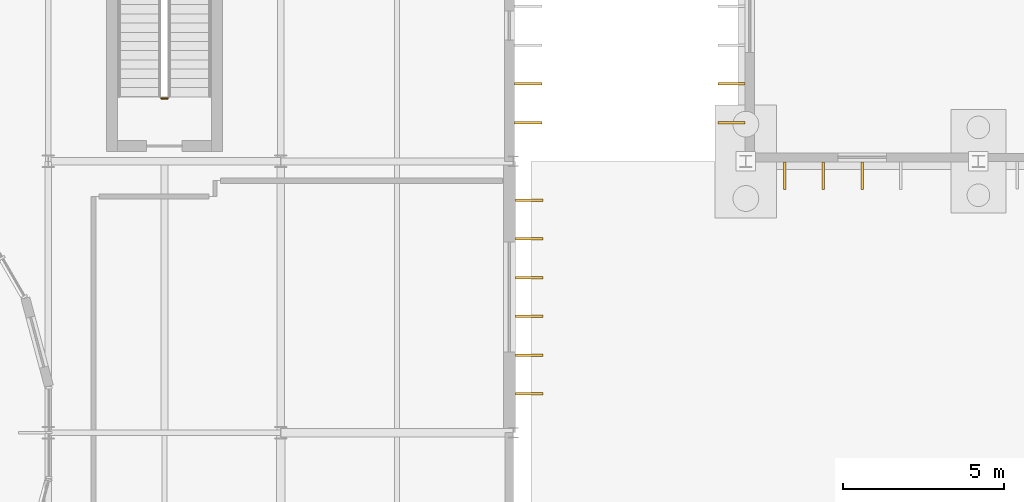
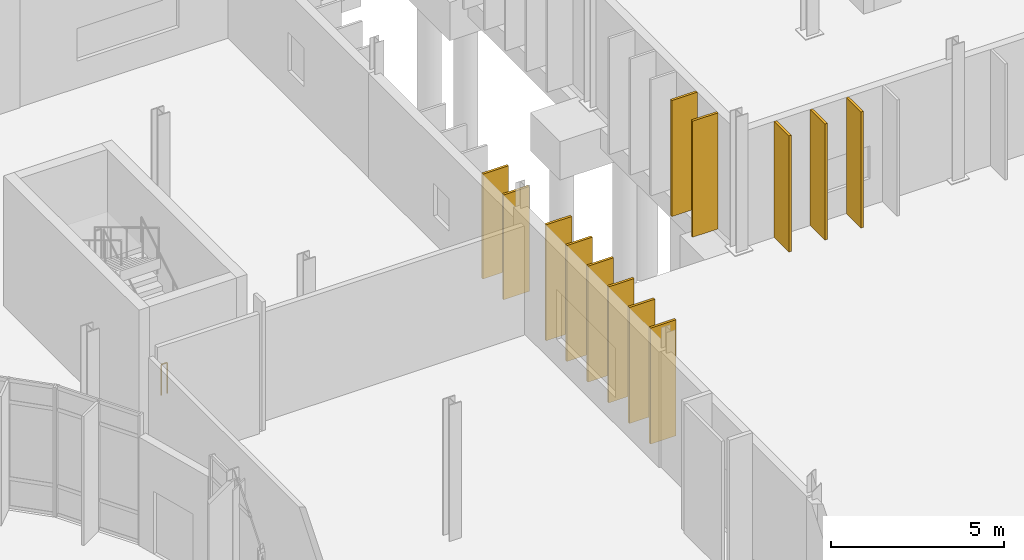
# One storey, part 109 of 118: 13 shading devices, 1 railing.
"""IFC4 building model written with IfcOpenShell, lengths in metres."""

from ifc_helpers import new_model, si_unit, direction, frame, origin, origin_2d, place, context, subcontext, project, spatial, rectangle, circle, extrude, material, type_object, element, save


model = new_model("IFC4")

# Units and contexts
model_context = context("Model", 3, precision=1e-05, world=origin(), true_north=direction((0.0, 1.0)))
body_context = subcontext(model_context, "Body", "Model", "MODEL_VIEW")
ifc_project = project(units=[si_unit("LENGTHUNIT", "METRE"), si_unit("AREAUNIT", "SQUARE_METRE"), si_unit("VOLUMEUNIT", "CUBIC_METRE"), si_unit("PLANEANGLEUNIT", "RADIAN"), si_unit("MASSUNIT", "GRAM", prefix="KILO")], contexts=[model_context])

# Site, building, storey
site_placement = place(None, origin())
site = spatial("IfcSite", under=ifc_project, at=site_placement, CompositionType="ELEMENT")
building_placement = place(site_placement, origin())
building = spatial("IfcBuilding", under=site, at=building_placement, Name="Qelthora Terrace Specialist Clinic", CompositionType="ELEMENT")
storey_placement = place(building_placement, origin())
storey = spatial("IfcBuildingStorey", under=building, at=storey_placement, Name="L00", CompositionType="ELEMENT", Elevation=0.0)

# Railing
ifc_material_1 = material(Name="Steel S355", Category="steel")
railing_type = type_object("IfcRailingType", Name="RAL-GD-1100-S355", PredefinedType="GUARDRAIL", material=ifc_material_1)
railing_placement = place(storey_placement, frame((39.699951171875, 94.35009765625, 0.0)))
element("IfcRailing", 1, at=railing_placement, inside=storey, type_object=railing_type, Name="L00 ST-02 stair guard 4", PredefinedType="GUARDRAIL", context=body_context, shape_type="SweptSolid", body=[
    extrude(circle(Radius=0.02392578125, at=origin_2d()), frame((0.0, 0.0, 1.076171875), z_axis=(-1.0, 0.0, 0.0), x_axis=(0.0, -1.0, 0.0)), (0.0, 0.0, 1.0), 0.199951171875),
    extrude(circle(Radius=0.02099609375, at=origin_2d()), origin(), (0.0, 0.0, 1.0), 1.052001953125),
    extrude(circle(Radius=0.02099609375, at=origin_2d()), frame((-0.199951171875, 0.0, 0.0)), (0.0, 0.0, 1.0), 1.052001953125),
])

# Shading devices
ifc_material_2 = material(Name="Glulam timber GL28h", Category="wood")
shading_device_type = type_object("IfcShadingDeviceType", Name="SHD-FIN-850", PredefinedType="USERDEFINED", material=ifc_material_2)
for number, where, z_axis, x_axis, name in (
    (2, (58.800048828125, 91.955078125, 0.0), (0.0, 0.0, 1.0), (0.0, -1.0, 0.0), "Exterior solar shading fin FIN-0237"),
    (3, (60.0, 91.955078125, 0.0), (0.0, 0.0, 1.0), (0.0, -1.0, 0.0), "Exterior solar shading fin FIN-0238"),
    (4, (61.199951171875, 91.955078125, 0.0), (0.0, 0.0, 1.0), (0.0, -1.0, 0.0), "Exterior solar shading fin FIN-0239"),
    (5, (57.155029296875, 93.60009765625, 0.0), (0.0, 0.0, 1.0), (-1.0, 0.0, 0.0), "Exterior solar shading fin FIN-0260"),
    (6, (57.155029296875, 94.800048828125, 0.0), (0.0, 0.0, 1.0), (-1.0, 0.0, 0.0), "Exterior solar shading fin FIN-0261"),
    (7, (50.89501953125, 85.199951171875, 0.0), (0.0, 0.0, 1.0), (1.0, 0.0, 0.0), "Exterior solar shading fin FIN-0475"),
    (8, (50.89501953125, 86.39990234375, 0.0), (0.0, 0.0, 1.0), (1.0, 0.0, 0.0), "Exterior solar shading fin FIN-0476"),
    (9, (50.89501953125, 87.60009765625, 0.0), (0.0, 0.0, 1.0), (1.0, 0.0, 0.0), "Exterior solar shading fin FIN-0477"),
    (10, (50.89501953125, 88.800048828125, 0.0), (0.0, 0.0, 1.0), (1.0, 0.0, 0.0), "Exterior solar shading fin FIN-0478"),
    (11, (50.89501953125, 90.0, 0.0), (0.0, 0.0, 1.0), (1.0, 0.0, 0.0), "Exterior solar shading fin FIN-0479"),
    (12, (50.89501953125, 91.199951171875, 0.0), (0.0, 0.0, 1.0), (1.0, 0.0, 0.0), "Exterior solar shading fin FIN-0480"),
):
    element("IfcShadingDevice", number, at=place(storey_placement, frame(where, z_axis=z_axis, x_axis=x_axis)), inside=storey, type_object=shading_device_type, Name=name, ObjectType="FIN", PredefinedType="USERDEFINED", context=body_context, shape_type="SweptSolid", body=[
        extrude(rectangle(XDim=0.85009765625, YDim=0.080078125, at=origin_2d()), origin(), (0.0, 0.0, 1.0), 4.08203125),
    ])
for number, where, z_axis, x_axis, name in (
    (13, (50.864990234375, 93.60009765625, 0.0), (0.0, 0.0, 1.0), (1.0, 0.0, 0.0), "Exterior solar shading fin FIN-0481"),
    (14, (50.864990234375, 94.800048828125, 0.0), (0.0, 0.0, 1.0), (1.0, 0.0, 0.0), "Exterior solar shading fin FIN-0482"),
):
    element("IfcShadingDevice", number, at=place(storey_placement, frame(where, z_axis=z_axis, x_axis=x_axis)), inside=storey, type_object=shading_device_type, Name=name, ObjectType="FIN", PredefinedType="USERDEFINED", context=body_context, shape_type="SweptSolid", body=[
        extrude(rectangle(XDim=0.85009765625, YDim=0.080078125, at=origin_2d()), origin(), (0.0, 0.0, 1.0), 3.69091796875),
    ])

save(model, "model.ifc")
